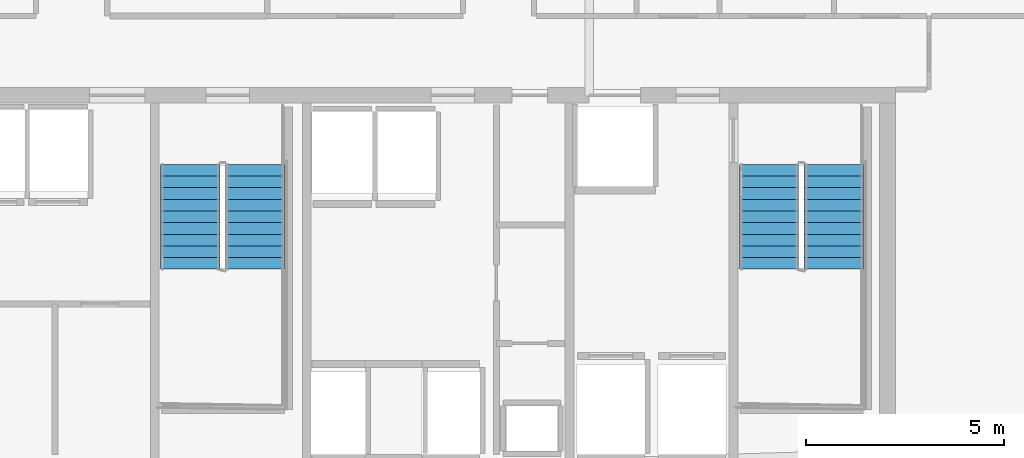
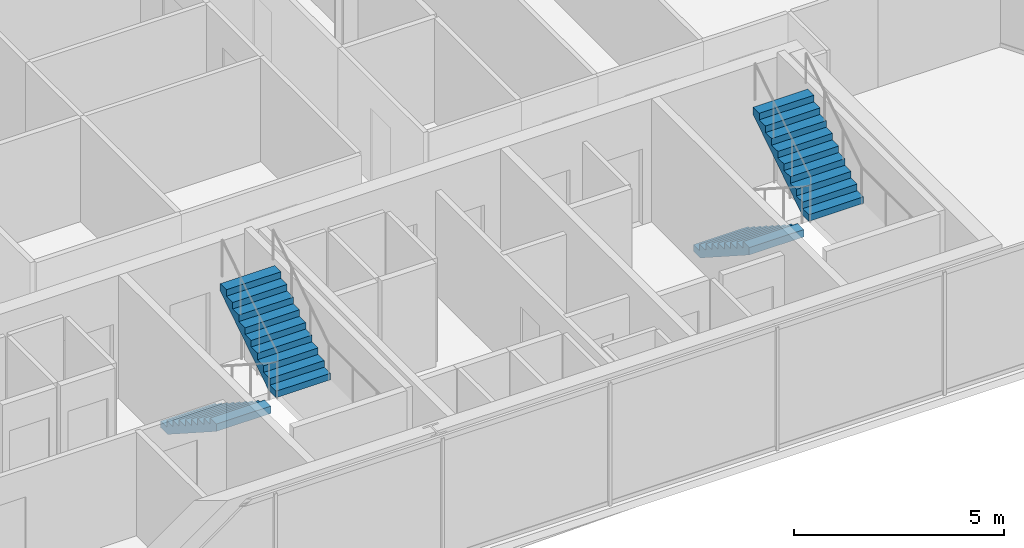
# One storey, part 30 of 33: 4 stair flights, 2 elements without a shape of their own.
"""IFC4 building model written with IfcOpenShell, lengths in metres."""

from ifc_helpers import new_model, si_unit, direction, frame, origin, place, context, subcontext, project, spatial, polyline, outline, extrude, material, type_object, element, aggregate, save


model = new_model("IFC4")

# Units and contexts
model_context = context("Model", 3, precision=1e-05, world=origin(), true_north=direction((0.0, 1.0)))
body_context = subcontext(model_context, "Body", "Model", "MODEL_VIEW")
ifc_project = project(units=[si_unit("LENGTHUNIT", "METRE"), si_unit("AREAUNIT", "SQUARE_METRE"), si_unit("VOLUMEUNIT", "CUBIC_METRE"), si_unit("PLANEANGLEUNIT", "RADIAN"), si_unit("MASSUNIT", "GRAM", prefix="KILO")], contexts=[model_context])

# Site, building, storey
site_placement = place(None, origin())
site = spatial("IfcSite", under=ifc_project, at=site_placement, CompositionType="ELEMENT")
building_placement = place(site_placement, origin())
building = spatial("IfcBuilding", under=site, at=building_placement, Name="Ndaravel Arena Tower", CompositionType="ELEMENT")
storey_placement = place(building_placement, frame((0.0, 0.0, 165.0)))
storey = spatial("IfcBuildingStorey", under=building, at=storey_placement, Name="L39", CompositionType="ELEMENT", Elevation=165.0)

# Stair, stair flights
ifc_material_1 = material(Name="Concrete C40/50", Category="concrete")
stair_type = type_object("IfcStairType", Name="STAIR-CORE-HT", PredefinedType="HALF_TURN_STAIR", material=ifc_material_1)
stair_1_placement = place(storey_placement, origin())
stair_1 = element("IfcStair", 1, at=stair_1_placement, inside=storey, type_object=stair_type, Name="L39 ST-2", PredefinedType="HALF_TURN_STAIR")
ifc_material_2 = material(Name="Concrete C40/50", Category="concrete")
stair_flight_type = type_object("IfcStairFlightType", Name="SFLIGHT-CORE-1680", PredefinedType="STRAIGHT", material=ifc_material_2)
stair_flight_1_placement = place(storey_placement, frame((39.699951171875, 13.25, 0.0), z_axis=(0.0, 0.0, 1.0), x_axis=(0.0, -1.0, 0.0)))
stair_flight_1 = element("IfcStairFlight", 2, at=stair_flight_1_placement, type_object=stair_flight_type, Name="ST-2 flight 1", NumberOfRisers=10, NumberOfTreads=9, PredefinedType="STRAIGHT", RiserHeight=0.19, TreadLength=0.295, context=body_context, shape_type="SweptSolid", body=[
    extrude(outline(polyline([(0.0, 0.0), (0.0, 0.18994140625), (0.294921875, 0.18994140625), (0.294921875, 0.3798828125), (0.590087890625, 0.3798828125), (0.590087890625, 0.570068359375), (0.885009765625, 0.570068359375), (0.885009765625, 0.760009765625), (1.179931640625, 0.760009765625), (1.179931640625, 0.949951171875), (1.47509765625, 0.949951171875), (1.47509765625, 1.139892578125), (1.77001953125, 1.139892578125), (1.77001953125, 1.330078125), (2.06494140625, 1.330078125), (2.06494140625, 1.52001953125), (2.360107421875, 1.52001953125), (2.360107421875, 1.7099609375), (2.655029296875, 1.7099609375), (2.655029296875, 1.89990234375), (2.655029296875, 1.49609375), (0.332275390625, 0.0), (0.0, 0.0)])), frame((0.0, 0.75, 0.0), z_axis=(0.0, -1.0, 0.0), x_axis=(1.0, 0.0, 0.0)), (0.0, 0.0, 1.0), 1.5),
])
stair_flight_2_placement = place(storey_placement, frame((41.340087890625, 10.594970703125, 1.89990234375), z_axis=(0.0, 0.0, 1.0), x_axis=(0.0, 1.0, 0.0)))
stair_flight_2 = element("IfcStairFlight", 3, at=stair_flight_2_placement, type_object=stair_flight_type, Name="ST-2 flight 2", NumberOfRisers=10, NumberOfTreads=9, PredefinedType="STRAIGHT", RiserHeight=0.19, TreadLength=0.295, context=body_context, shape_type="SweptSolid", body=[
    extrude(outline(polyline([(0.0, 0.0), (0.0, 0.18994140625), (0.294921875, 0.18994140625), (0.294921875, 0.3798828125), (0.590087890625, 0.3798828125), (0.590087890625, 0.570068359375), (0.885009765625, 0.570068359375), (0.885009765625, 0.760009765625), (1.179931640625, 0.760009765625), (1.179931640625, 0.949951171875), (1.47509765625, 0.949951171875), (1.47509765625, 1.139892578125), (1.77001953125, 1.139892578125), (1.77001953125, 1.330078125), (2.06494140625, 1.330078125), (2.06494140625, 1.52001953125), (2.360107421875, 1.52001953125), (2.360107421875, 1.7099609375), (2.655029296875, 1.7099609375), (2.655029296875, 1.89990234375), (2.655029296875, 1.49609375), (0.332275390625, 0.0), (0.0, 0.0)])), frame((0.0, 0.75, 0.0), z_axis=(0.0, -1.0, 0.0), x_axis=(1.0, 0.0, 0.0)), (0.0, 0.0, 1.0), 1.5),
])
aggregate(stair_1, [stair_flight_1, stair_flight_2])

stair_2_placement = place(storey_placement, origin())
stair_2 = element("IfcStair", 4, at=stair_2_placement, inside=storey, type_object=stair_type, Name="L39 ST-3", PredefinedType="HALF_TURN_STAIR")
stair_flight_3_placement = place(storey_placement, frame((54.35009765625, 13.25, 0.0), z_axis=(0.0, 0.0, 1.0), x_axis=(0.0, -1.0, 0.0)))
stair_flight_3 = element("IfcStairFlight", 5, at=stair_flight_3_placement, type_object=stair_flight_type, Name="ST-3 flight 1", NumberOfRisers=10, NumberOfTreads=9, PredefinedType="STRAIGHT", RiserHeight=0.19, TreadLength=0.295, context=body_context, shape_type="SweptSolid", body=[
    extrude(outline(polyline([(0.0, 0.0), (0.0, 0.18994140625), (0.294921875, 0.18994140625), (0.294921875, 0.3798828125), (0.590087890625, 0.3798828125), (0.590087890625, 0.570068359375), (0.885009765625, 0.570068359375), (0.885009765625, 0.760009765625), (1.179931640625, 0.760009765625), (1.179931640625, 0.949951171875), (1.47509765625, 0.949951171875), (1.47509765625, 1.139892578125), (1.77001953125, 1.139892578125), (1.77001953125, 1.330078125), (2.06494140625, 1.330078125), (2.06494140625, 1.52001953125), (2.360107421875, 1.52001953125), (2.360107421875, 1.7099609375), (2.655029296875, 1.7099609375), (2.655029296875, 1.89990234375), (2.655029296875, 1.49609375), (0.332275390625, 0.0), (0.0, 0.0)])), frame((0.0, 0.75, 0.0), z_axis=(0.0, -1.0, 0.0), x_axis=(1.0, 0.0, 0.0)), (0.0, 0.0, 1.0), 1.5),
])
stair_flight_4_placement = place(storey_placement, frame((55.989990234375, 10.594970703125, 1.89990234375), z_axis=(0.0, 0.0, 1.0), x_axis=(0.0, 1.0, 0.0)))
stair_flight_4 = element("IfcStairFlight", 6, at=stair_flight_4_placement, type_object=stair_flight_type, Name="ST-3 flight 2", NumberOfRisers=10, NumberOfTreads=9, PredefinedType="STRAIGHT", RiserHeight=0.19, TreadLength=0.295, context=body_context, shape_type="SweptSolid", body=[
    extrude(outline(polyline([(0.0, 0.0), (0.0, 0.18994140625), (0.294921875, 0.18994140625), (0.294921875, 0.3798828125), (0.590087890625, 0.3798828125), (0.590087890625, 0.570068359375), (0.885009765625, 0.570068359375), (0.885009765625, 0.760009765625), (1.179931640625, 0.760009765625), (1.179931640625, 0.949951171875), (1.47509765625, 0.949951171875), (1.47509765625, 1.139892578125), (1.77001953125, 1.139892578125), (1.77001953125, 1.330078125), (2.06494140625, 1.330078125), (2.06494140625, 1.52001953125), (2.360107421875, 1.52001953125), (2.360107421875, 1.7099609375), (2.655029296875, 1.7099609375), (2.655029296875, 1.89990234375), (2.655029296875, 1.49609375), (0.332275390625, 0.0), (0.0, 0.0)])), frame((0.0, 0.75, 0.0), z_axis=(0.0, -1.0, 0.0), x_axis=(1.0, 0.0, 0.0)), (0.0, 0.0, 1.0), 1.5),
])
aggregate(stair_2, [stair_flight_3, stair_flight_4])

save(model, "model.ifc")
